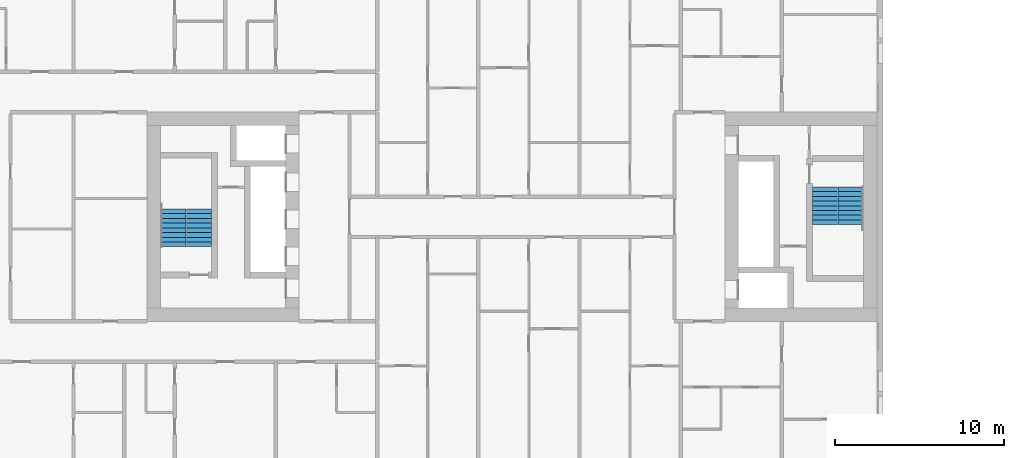
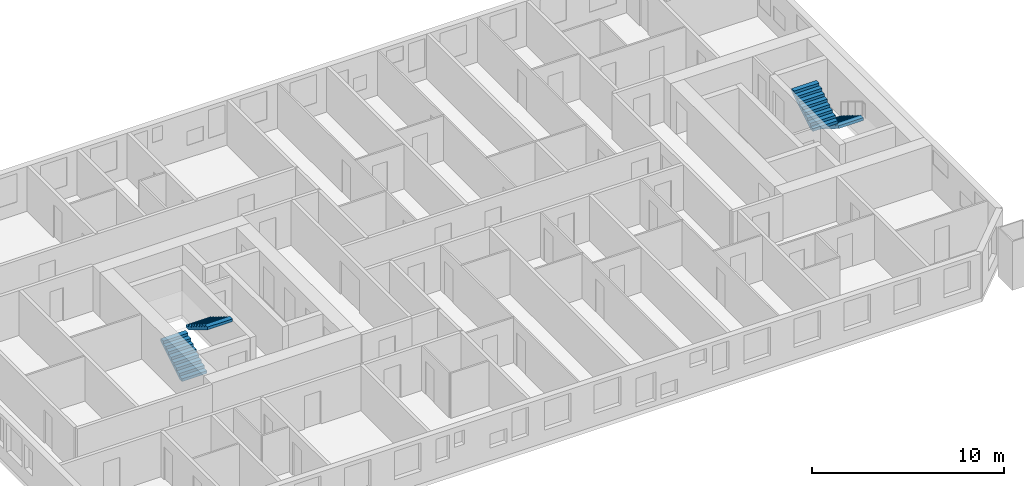
# One storey, part 18 of 19: 4 stair flights, 2 elements without a shape of their own.
"""IFC4 building model written with IfcOpenShell, lengths in metres."""

from ifc_helpers import new_model, si_unit, direction, frame, origin, place, context, subcontext, project, spatial, faceted_brep, material, type_object, element, aggregate, save


model = new_model("IFC4")

# Units and contexts
model_context = context("Model", 3, precision=1e-05, world=origin(), true_north=direction((0.0, 1.0)))
body_context = subcontext(model_context, "Body", "Model", "MODEL_VIEW")
ifc_project = project(units=[si_unit("LENGTHUNIT", "METRE"), si_unit("AREAUNIT", "SQUARE_METRE"), si_unit("VOLUMEUNIT", "CUBIC_METRE"), si_unit("PLANEANGLEUNIT", "RADIAN"), si_unit("MASSUNIT", "GRAM", prefix="KILO")], contexts=[model_context])

# Site, building, storey
site_placement = place(None, origin())
site = spatial("IfcSite", under=ifc_project, at=site_placement, CompositionType="ELEMENT")
building_placement = place(site_placement, origin())
building = spatial("IfcBuilding", under=site, at=building_placement, Name="Tuart Gate Housing", CompositionType="ELEMENT")
storey_placement = place(building_placement, frame((0.0, 0.0, 56.699951171875)))
storey = spatial("IfcBuildingStorey", under=building, at=storey_placement, Name="L15", CompositionType="ELEMENT", Elevation=56.699951171875)

# Stair, stair flights
ifc_material_1 = material(Name="Concrete C40", Category="concrete")
stair_type = type_object("IfcStairType", Name="Core stair 1500", PredefinedType="HALF_TURN_STAIR", material=ifc_material_1)
stair_1_placement = place(storey_placement, origin())
stair_1 = element("IfcStair", 1, at=stair_1_placement, inside=storey, type_object=stair_type, Name="Stair SA1", PredefinedType="HALF_TURN_STAIR")
ifc_material_2 = material(Name="Concrete C40", Category="concrete")
stair_flight_type = type_object("IfcStairFlightType", Name="Stair flight 1500, 9 risers 172 x 280", PredefinedType="STRAIGHT", material=ifc_material_2)
stair_flight_1_placement = place(storey_placement, frame((74.090087890625, 71.77490234375, 0.0), z_axis=(0.0, 0.0, 1.0), x_axis=(0.0, -1.0, 0.0)))
stair_flight_1 = element("IfcStairFlight", 2, at=stair_flight_1_placement, type_object=stair_flight_type, Name="SA1 flight 1", NumberOfRisers=9, NumberOfTreads=8, PredefinedType="STRAIGHT", RiserHeight=0.172222222, TreadLength=0.28, context=body_context, shape_type="Brep", body=[
    faceted_brep([(0.0, 0.75, 0.0), (0.0, 0.75, 0.172119140625), (0.280029296875, 0.75, 0.172119140625), (0.280029296875, 0.75, 0.344482421875), (0.56005859375, 0.75, 0.344482421875), (0.56005859375, 0.75, 0.5166015625), (0.840087890625, 0.75, 0.5166015625), (0.840087890625, 0.75, 0.68896484375), (1.1201171875, 0.75, 0.68896484375), (1.1201171875, 0.75, 0.861083984375), (1.39990234375, 0.75, 0.861083984375), (1.39990234375, 0.75, 1.033447265625), (1.679931640625, 0.75, 1.033447265625), (1.679931640625, 0.75, 1.20556640625), (1.9599609375, 0.75, 1.20556640625), (1.9599609375, 0.75, 1.377685546875), (2.239990234375, 0.75, 1.377685546875), (2.239990234375, 0.75, 1.201904296875), (0.2861328125, 0.75, 0.0), (0.2861328125, -0.75, 0.0), (2.239990234375, -0.75, 1.201904296875), (2.239990234375, -0.75, 1.377685546875), (1.9599609375, -0.75, 1.377685546875), (1.9599609375, -0.75, 1.20556640625), (1.679931640625, -0.75, 1.20556640625), (1.679931640625, -0.75, 1.033447265625), (1.39990234375, -0.75, 1.033447265625), (1.39990234375, -0.75, 0.861083984375), (1.1201171875, -0.75, 0.861083984375), (1.1201171875, -0.75, 0.68896484375), (0.840087890625, -0.75, 0.68896484375), (0.840087890625, -0.75, 0.5166015625), (0.56005859375, -0.75, 0.5166015625), (0.56005859375, -0.75, 0.344482421875), (0.280029296875, -0.75, 0.344482421875), (0.280029296875, -0.75, 0.172119140625), (0.0, -0.75, 0.172119140625), (0.0, -0.75, 0.0), (2.239990234375, 0.0, 1.201904296875), (0.2861328125, 0.0, 0.0), (2.239990234375, 0.0, 1.377685546875), (1.9599609375, 0.0, 1.377685546875), (1.9599609375, 0.0, 1.20556640625), (1.679931640625, 0.0, 1.20556640625), (1.679931640625, 0.0, 1.033447265625), (1.39990234375, 0.0, 1.033447265625), (1.39990234375, 0.0, 0.861083984375), (1.1201171875, 0.0, 0.861083984375), (1.1201171875, 0.0, 0.68896484375), (0.840087890625, 0.0, 0.68896484375), (0.840087890625, 0.0, 0.5166015625), (0.56005859375, 0.0, 0.5166015625), (0.56005859375, 0.0, 0.344482421875), (0.280029296875, 0.0, 0.344482421875), (0.280029296875, 0.0, 0.172119140625), (0.0, 0.0, 0.172119140625), (0.0, 0.0, 0.0)], [[[0, 1, 2, 3, 4, 5, 6, 7, 8, 9, 10, 11, 12, 13, 14, 15, 16, 17, 18]], [[19, 20, 21, 22, 23, 24, 25, 26, 27, 28, 29, 30, 31, 32, 33, 34, 35, 36, 37]], [[18, 17, 38, 39]], [[39, 38, 20, 19]], [[17, 16, 40, 38]], [[38, 40, 21, 20]], [[16, 15, 41, 40]], [[40, 41, 22, 21]], [[15, 14, 42, 41]], [[41, 42, 23, 22]], [[14, 13, 43, 42]], [[42, 43, 24, 23]], [[13, 12, 44, 43]], [[43, 44, 25, 24]], [[12, 11, 45, 44]], [[44, 45, 26, 25]], [[11, 10, 46, 45]], [[45, 46, 27, 26]], [[10, 9, 47, 46]], [[46, 47, 28, 27]], [[9, 8, 48, 47]], [[47, 48, 29, 28]], [[8, 7, 49, 48]], [[48, 49, 30, 29]], [[7, 6, 50, 49]], [[49, 50, 31, 30]], [[6, 5, 51, 50]], [[50, 51, 32, 31]], [[5, 4, 52, 51]], [[51, 52, 33, 32]], [[4, 3, 53, 52]], [[52, 53, 34, 33]], [[3, 2, 54, 53]], [[53, 54, 35, 34]], [[2, 1, 55, 54]], [[54, 55, 36, 35]], [[1, 0, 56, 55]], [[55, 56, 37, 36]], [[0, 18, 39, 56]], [[56, 39, 19, 37]]]),
])
stair_flight_2_placement = place(storey_placement, frame((72.56494140625, 69.534912109375, 1.550048828125), z_axis=(0.0, 0.0, 1.0), x_axis=(0.0, 1.0, 0.0)))
stair_flight_2 = element("IfcStairFlight", 3, at=stair_flight_2_placement, type_object=stair_flight_type, Name="SA1 flight 2", NumberOfRisers=9, NumberOfTreads=8, PredefinedType="STRAIGHT", RiserHeight=0.172222222, TreadLength=0.28, context=body_context, shape_type="Brep", body=[
    faceted_brep([(0.0, 0.75, 0.0), (0.0, 0.75, 0.172119140625), (0.280029296875, 0.75, 0.172119140625), (0.280029296875, 0.75, 0.344482421875), (0.56005859375, 0.75, 0.344482421875), (0.56005859375, 0.75, 0.5166015625), (0.840087890625, 0.75, 0.5166015625), (0.840087890625, 0.75, 0.68896484375), (1.1201171875, 0.75, 0.68896484375), (1.1201171875, 0.75, 0.861083984375), (1.39990234375, 0.75, 0.861083984375), (1.39990234375, 0.75, 1.033447265625), (1.679931640625, 0.75, 1.033447265625), (1.679931640625, 0.75, 1.20556640625), (1.9599609375, 0.75, 1.20556640625), (1.9599609375, 0.75, 1.377685546875), (2.239990234375, 0.75, 1.377685546875), (2.239990234375, 0.75, 1.201904296875), (0.2861328125, 0.75, 0.0), (0.2861328125, -0.75, 0.0), (2.239990234375, -0.75, 1.201904296875), (2.239990234375, -0.75, 1.377685546875), (1.9599609375, -0.75, 1.377685546875), (1.9599609375, -0.75, 1.20556640625), (1.679931640625, -0.75, 1.20556640625), (1.679931640625, -0.75, 1.033447265625), (1.39990234375, -0.75, 1.033447265625), (1.39990234375, -0.75, 0.861083984375), (1.1201171875, -0.75, 0.861083984375), (1.1201171875, -0.75, 0.68896484375), (0.840087890625, -0.75, 0.68896484375), (0.840087890625, -0.75, 0.5166015625), (0.56005859375, -0.75, 0.5166015625), (0.56005859375, -0.75, 0.344482421875), (0.280029296875, -0.75, 0.344482421875), (0.280029296875, -0.75, 0.172119140625), (0.0, -0.75, 0.172119140625), (0.0, -0.75, 0.0), (2.239990234375, 0.0, 1.201904296875), (0.2861328125, 0.0, 0.0), (2.239990234375, 0.0, 1.377685546875), (1.9599609375, 0.0, 1.377685546875), (1.9599609375, 0.0, 1.20556640625), (1.679931640625, 0.0, 1.20556640625), (1.679931640625, 0.0, 1.033447265625), (1.39990234375, 0.0, 1.033447265625), (1.39990234375, 0.0, 0.861083984375), (1.1201171875, 0.0, 0.861083984375), (1.1201171875, 0.0, 0.68896484375), (0.840087890625, 0.0, 0.68896484375), (0.840087890625, 0.0, 0.5166015625), (0.56005859375, 0.0, 0.5166015625), (0.56005859375, 0.0, 0.344482421875), (0.280029296875, 0.0, 0.344482421875), (0.280029296875, 0.0, 0.172119140625), (0.0, 0.0, 0.172119140625), (0.0, 0.0, 0.0)], [[[0, 1, 2, 3, 4, 5, 6, 7, 8, 9, 10, 11, 12, 13, 14, 15, 16, 17, 18]], [[19, 20, 21, 22, 23, 24, 25, 26, 27, 28, 29, 30, 31, 32, 33, 34, 35, 36, 37]], [[18, 17, 38, 39]], [[39, 38, 20, 19]], [[17, 16, 40, 38]], [[38, 40, 21, 20]], [[16, 15, 41, 40]], [[40, 41, 22, 21]], [[15, 14, 42, 41]], [[41, 42, 23, 22]], [[14, 13, 43, 42]], [[42, 43, 24, 23]], [[13, 12, 44, 43]], [[43, 44, 25, 24]], [[12, 11, 45, 44]], [[44, 45, 26, 25]], [[11, 10, 46, 45]], [[45, 46, 27, 26]], [[10, 9, 47, 46]], [[46, 47, 28, 27]], [[9, 8, 48, 47]], [[47, 48, 29, 28]], [[8, 7, 49, 48]], [[48, 49, 30, 29]], [[7, 6, 50, 49]], [[49, 50, 31, 30]], [[6, 5, 51, 50]], [[50, 51, 32, 31]], [[5, 4, 52, 51]], [[51, 52, 33, 32]], [[4, 3, 53, 52]], [[52, 53, 34, 33]], [[3, 2, 54, 53]], [[53, 54, 35, 34]], [[2, 1, 55, 54]], [[54, 55, 36, 35]], [[1, 0, 56, 55]], [[55, 56, 37, 36]], [[0, 18, 39, 56]], [[56, 39, 19, 37]]]),
])
aggregate(stair_1, [stair_flight_1, stair_flight_2])

stair_2_placement = place(storey_placement, origin())
stair_2 = element("IfcStair", 4, at=stair_2_placement, inside=storey, type_object=stair_type, Name="Stair SA2", PredefinedType="HALF_TURN_STAIR")
stair_flight_3_placement = place(storey_placement, frame((33.909912109375, 68.22509765625, 0.0), z_axis=(0.0, 0.0, 1.0), x_axis=(0.0, 1.0, 0.0)))
stair_flight_3 = element("IfcStairFlight", 5, at=stair_flight_3_placement, type_object=stair_flight_type, Name="SA2 flight 1", NumberOfRisers=9, NumberOfTreads=8, PredefinedType="STRAIGHT", RiserHeight=0.172222222, TreadLength=0.28, context=body_context, shape_type="Brep", body=[
    faceted_brep([(0.0, 0.75, 0.0), (0.0, 0.75, 0.172119140625), (0.280029296875, 0.75, 0.172119140625), (0.280029296875, 0.75, 0.344482421875), (0.56005859375, 0.75, 0.344482421875), (0.56005859375, 0.75, 0.5166015625), (0.840087890625, 0.75, 0.5166015625), (0.840087890625, 0.75, 0.68896484375), (1.1201171875, 0.75, 0.68896484375), (1.1201171875, 0.75, 0.861083984375), (1.39990234375, 0.75, 0.861083984375), (1.39990234375, 0.75, 1.033447265625), (1.679931640625, 0.75, 1.033447265625), (1.679931640625, 0.75, 1.20556640625), (1.9599609375, 0.75, 1.20556640625), (1.9599609375, 0.75, 1.377685546875), (2.239990234375, 0.75, 1.377685546875), (2.239990234375, 0.75, 1.201904296875), (0.2861328125, 0.75, 0.0), (0.2861328125, -0.75, 0.0), (2.239990234375, -0.75, 1.201904296875), (2.239990234375, -0.75, 1.377685546875), (1.9599609375, -0.75, 1.377685546875), (1.9599609375, -0.75, 1.20556640625), (1.679931640625, -0.75, 1.20556640625), (1.679931640625, -0.75, 1.033447265625), (1.39990234375, -0.75, 1.033447265625), (1.39990234375, -0.75, 0.861083984375), (1.1201171875, -0.75, 0.861083984375), (1.1201171875, -0.75, 0.68896484375), (0.840087890625, -0.75, 0.68896484375), (0.840087890625, -0.75, 0.5166015625), (0.56005859375, -0.75, 0.5166015625), (0.56005859375, -0.75, 0.344482421875), (0.280029296875, -0.75, 0.344482421875), (0.280029296875, -0.75, 0.172119140625), (0.0, -0.75, 0.172119140625), (0.0, -0.75, 0.0), (2.239990234375, 0.0, 1.201904296875), (0.2861328125, 0.0, 0.0), (2.239990234375, 0.0, 1.377685546875), (1.9599609375, 0.0, 1.377685546875), (1.9599609375, 0.0, 1.20556640625), (1.679931640625, 0.0, 1.20556640625), (1.679931640625, 0.0, 1.033447265625), (1.39990234375, 0.0, 1.033447265625), (1.39990234375, 0.0, 0.861083984375), (1.1201171875, 0.0, 0.861083984375), (1.1201171875, 0.0, 0.68896484375), (0.840087890625, 0.0, 0.68896484375), (0.840087890625, 0.0, 0.5166015625), (0.56005859375, 0.0, 0.5166015625), (0.56005859375, 0.0, 0.344482421875), (0.280029296875, 0.0, 0.344482421875), (0.280029296875, 0.0, 0.172119140625), (0.0, 0.0, 0.172119140625), (0.0, 0.0, 0.0)], [[[0, 1, 2, 3, 4, 5, 6, 7, 8, 9, 10, 11, 12, 13, 14, 15, 16, 17, 18]], [[19, 20, 21, 22, 23, 24, 25, 26, 27, 28, 29, 30, 31, 32, 33, 34, 35, 36, 37]], [[18, 17, 38, 39]], [[39, 38, 20, 19]], [[17, 16, 40, 38]], [[38, 40, 21, 20]], [[16, 15, 41, 40]], [[40, 41, 22, 21]], [[15, 14, 42, 41]], [[41, 42, 23, 22]], [[14, 13, 43, 42]], [[42, 43, 24, 23]], [[13, 12, 44, 43]], [[43, 44, 25, 24]], [[12, 11, 45, 44]], [[44, 45, 26, 25]], [[11, 10, 46, 45]], [[45, 46, 27, 26]], [[10, 9, 47, 46]], [[46, 47, 28, 27]], [[9, 8, 48, 47]], [[47, 48, 29, 28]], [[8, 7, 49, 48]], [[48, 49, 30, 29]], [[7, 6, 50, 49]], [[49, 50, 31, 30]], [[6, 5, 51, 50]], [[50, 51, 32, 31]], [[5, 4, 52, 51]], [[51, 52, 33, 32]], [[4, 3, 53, 52]], [[52, 53, 34, 33]], [[3, 2, 54, 53]], [[53, 54, 35, 34]], [[2, 1, 55, 54]], [[54, 55, 36, 35]], [[1, 0, 56, 55]], [[55, 56, 37, 36]], [[0, 18, 39, 56]], [[56, 39, 19, 37]]]),
])
stair_flight_4_placement = place(storey_placement, frame((35.43505859375, 70.465087890625, 1.550048828125), z_axis=(0.0, 0.0, 1.0), x_axis=(0.0, -1.0, 0.0)))
stair_flight_4 = element("IfcStairFlight", 6, at=stair_flight_4_placement, type_object=stair_flight_type, Name="SA2 flight 2", NumberOfRisers=9, NumberOfTreads=8, PredefinedType="STRAIGHT", RiserHeight=0.172222222, TreadLength=0.28, context=body_context, shape_type="Brep", body=[
    faceted_brep([(0.0, 0.75, 0.0), (0.0, 0.75, 0.172119140625), (0.280029296875, 0.75, 0.172119140625), (0.280029296875, 0.75, 0.344482421875), (0.56005859375, 0.75, 0.344482421875), (0.56005859375, 0.75, 0.5166015625), (0.840087890625, 0.75, 0.5166015625), (0.840087890625, 0.75, 0.68896484375), (1.1201171875, 0.75, 0.68896484375), (1.1201171875, 0.75, 0.861083984375), (1.39990234375, 0.75, 0.861083984375), (1.39990234375, 0.75, 1.033447265625), (1.679931640625, 0.75, 1.033447265625), (1.679931640625, 0.75, 1.20556640625), (1.9599609375, 0.75, 1.20556640625), (1.9599609375, 0.75, 1.377685546875), (2.239990234375, 0.75, 1.377685546875), (2.239990234375, 0.75, 1.201904296875), (0.2861328125, 0.75, 0.0), (0.2861328125, -0.75, 0.0), (2.239990234375, -0.75, 1.201904296875), (2.239990234375, -0.75, 1.377685546875), (1.9599609375, -0.75, 1.377685546875), (1.9599609375, -0.75, 1.20556640625), (1.679931640625, -0.75, 1.20556640625), (1.679931640625, -0.75, 1.033447265625), (1.39990234375, -0.75, 1.033447265625), (1.39990234375, -0.75, 0.861083984375), (1.1201171875, -0.75, 0.861083984375), (1.1201171875, -0.75, 0.68896484375), (0.840087890625, -0.75, 0.68896484375), (0.840087890625, -0.75, 0.5166015625), (0.56005859375, -0.75, 0.5166015625), (0.56005859375, -0.75, 0.344482421875), (0.280029296875, -0.75, 0.344482421875), (0.280029296875, -0.75, 0.172119140625), (0.0, -0.75, 0.172119140625), (0.0, -0.75, 0.0), (2.239990234375, 0.0, 1.201904296875), (0.2861328125, 0.0, 0.0), (2.239990234375, 0.0, 1.377685546875), (1.9599609375, 0.0, 1.377685546875), (1.9599609375, 0.0, 1.20556640625), (1.679931640625, 0.0, 1.20556640625), (1.679931640625, 0.0, 1.033447265625), (1.39990234375, 0.0, 1.033447265625), (1.39990234375, 0.0, 0.861083984375), (1.1201171875, 0.0, 0.861083984375), (1.1201171875, 0.0, 0.68896484375), (0.840087890625, 0.0, 0.68896484375), (0.840087890625, 0.0, 0.5166015625), (0.56005859375, 0.0, 0.5166015625), (0.56005859375, 0.0, 0.344482421875), (0.280029296875, 0.0, 0.344482421875), (0.280029296875, 0.0, 0.172119140625), (0.0, 0.0, 0.172119140625), (0.0, 0.0, 0.0)], [[[0, 1, 2, 3, 4, 5, 6, 7, 8, 9, 10, 11, 12, 13, 14, 15, 16, 17, 18]], [[19, 20, 21, 22, 23, 24, 25, 26, 27, 28, 29, 30, 31, 32, 33, 34, 35, 36, 37]], [[18, 17, 38, 39]], [[39, 38, 20, 19]], [[17, 16, 40, 38]], [[38, 40, 21, 20]], [[16, 15, 41, 40]], [[40, 41, 22, 21]], [[15, 14, 42, 41]], [[41, 42, 23, 22]], [[14, 13, 43, 42]], [[42, 43, 24, 23]], [[13, 12, 44, 43]], [[43, 44, 25, 24]], [[12, 11, 45, 44]], [[44, 45, 26, 25]], [[11, 10, 46, 45]], [[45, 46, 27, 26]], [[10, 9, 47, 46]], [[46, 47, 28, 27]], [[9, 8, 48, 47]], [[47, 48, 29, 28]], [[8, 7, 49, 48]], [[48, 49, 30, 29]], [[7, 6, 50, 49]], [[49, 50, 31, 30]], [[6, 5, 51, 50]], [[50, 51, 32, 31]], [[5, 4, 52, 51]], [[51, 52, 33, 32]], [[4, 3, 53, 52]], [[52, 53, 34, 33]], [[3, 2, 54, 53]], [[53, 54, 35, 34]], [[2, 1, 55, 54]], [[54, 55, 36, 35]], [[1, 0, 56, 55]], [[55, 56, 37, 36]], [[0, 18, 39, 56]], [[56, 39, 19, 37]]]),
])
aggregate(stair_2, [stair_flight_3, stair_flight_4])

save(model, "model.ifc")
